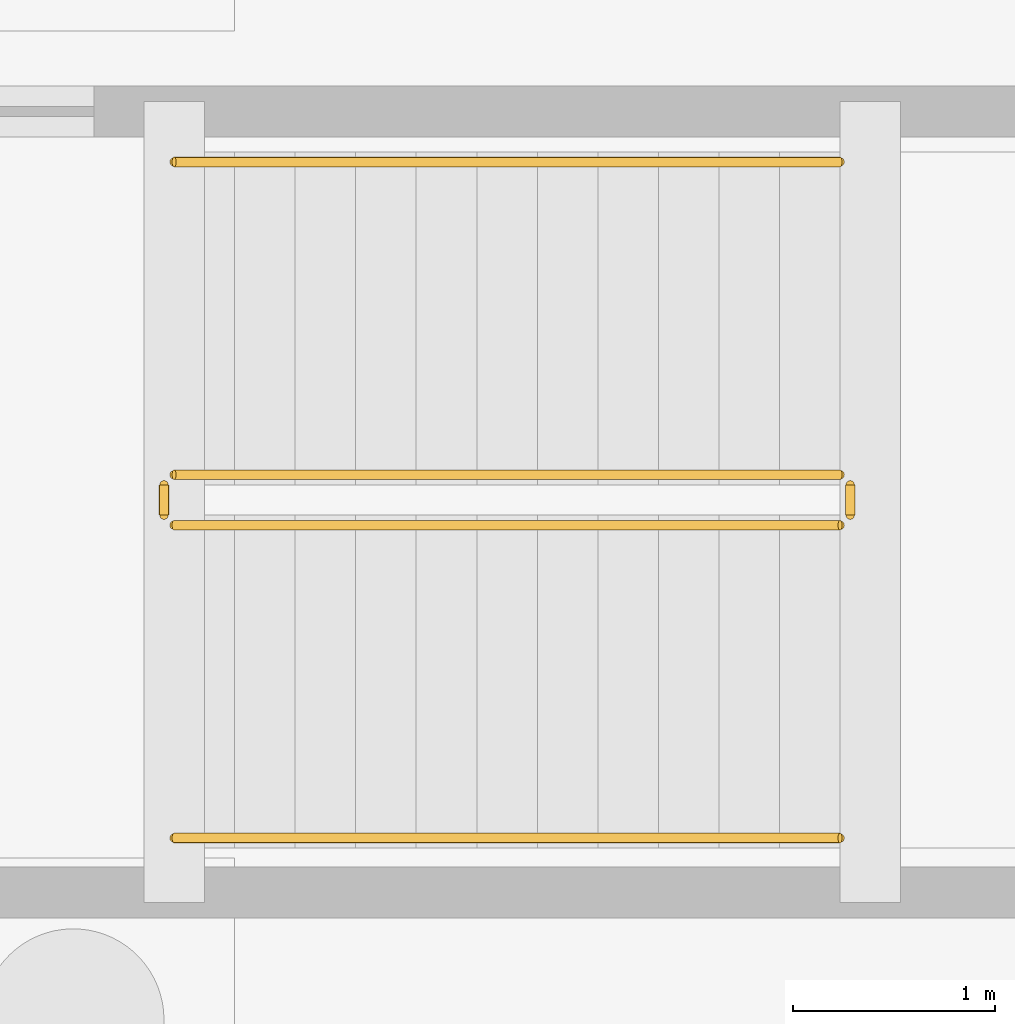
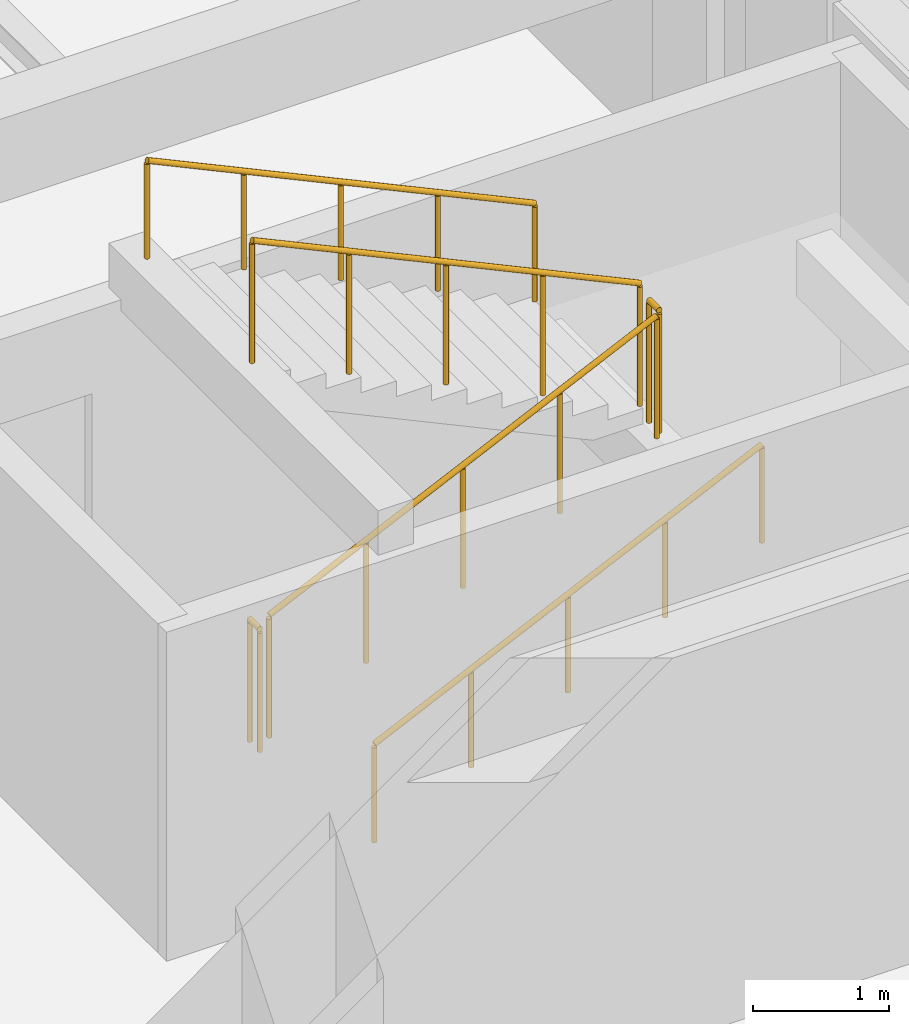
# One storey, part 67 of 70: 6 railings.
"""IFC4 building model written with IfcOpenShell, lengths in metres."""

from ifc_helpers import new_model, si_unit, direction, frame, origin, origin_2d, place, context, subcontext, project, spatial, circle, extrude, material, type_object, element, save


model = new_model("IFC4")

# Units and contexts
model_context = context("Model", 3, precision=1e-05, world=origin(), true_north=direction((0.0, 1.0)))
body_context = subcontext(model_context, "Body", "Model", "MODEL_VIEW")
ifc_project = project(units=[si_unit("LENGTHUNIT", "METRE"), si_unit("AREAUNIT", "SQUARE_METRE"), si_unit("VOLUMEUNIT", "CUBIC_METRE"), si_unit("PLANEANGLEUNIT", "RADIAN"), si_unit("MASSUNIT", "GRAM", prefix="KILO")], contexts=[model_context])

# Site, building, storey
site_placement = place(None, origin())
site = spatial("IfcSite", under=ifc_project, at=site_placement, CompositionType="ELEMENT")
building_placement = place(site_placement, origin())
building = spatial("IfcBuilding", under=site, at=building_placement, Name="Cumbredor Promenade Congress Hotel", CompositionType="ELEMENT")
storey_placement = place(building_placement, frame((0.0, 0.0, -7.56005859375)))
storey = spatial("IfcBuildingStorey", under=building, at=storey_placement, Name="B02", CompositionType="ELEMENT", Elevation=-7.56005859375)

# Railings
ifc_material = material(Name="Brushed stainless steel", Category="steel")
railing_type_1 = type_object("IfcRailingType", Name="Interior Void & Stair Guardrail GR-1100", PredefinedType="GUARDRAIL", material=ifc_material)
railing_1_placement = place(storey_placement, frame((178.25, 12.199951171875, 0.14013671875)))
element("IfcRailing", 1, at=railing_1_placement, inside=storey, type_object=railing_type_1, Name="B02 ST-09 stair guard 1", PredefinedType="GUARDRAIL", context=body_context, shape_type="SweptSolid", body=[
    extrude(circle(Radius=0.02392578125, at=origin_2d()), frame((0.0, 0.0, 1.09619140625), z_axis=(0.906181427284, 0.0, 0.422889135408), x_axis=(0.0, 1.0, 0.0)), (0.0, 0.0, 1.0), 3.6416015625),
    extrude(circle(Radius=0.02099609375, at=origin_2d()), origin(), (0.0, 0.0, 1.0), 1.072021484375),
    extrude(circle(Radius=0.02099609375, at=origin_2d()), frame((0.824951171875, 0.0, 0.385009765625)), (0.0, 0.0, 1.0), 1.072021484375),
    extrude(circle(Radius=0.02099609375, at=origin_2d()), frame((1.64990234375, 0.0, 0.77001953125)), (0.0, 0.0, 1.0), 1.072021484375),
    extrude(circle(Radius=0.02099609375, at=origin_2d()), frame((2.47509765625, 0.0, 1.155029296875)), (0.0, 0.0, 1.0), 1.072021484375),
    extrude(circle(Radius=0.02099609375, at=origin_2d()), frame((3.300048828125, 0.0, 1.5400390625)), (0.0, 0.0, 1.0), 1.072021484375),
])
railing_2_placement = place(storey_placement, frame((181.60009765625, 12.25, 1.68017578125)))
element("IfcRailing", 2, at=railing_2_placement, inside=storey, type_object=railing_type_1, Name="B02 ST-09 stair guard 2", PredefinedType="GUARDRAIL", context=body_context, shape_type="SweptSolid", body=[
    extrude(circle(Radius=0.02392578125, at=origin_2d()), frame((0.0, 0.0, 1.09619140625), z_axis=(0.0, 1.0, 0.0), x_axis=(-1.0, 0.0, 0.0)), (0.0, 0.0, 1.0), 0.14990234375),
    extrude(circle(Radius=0.02099609375, at=origin_2d()), origin(), (0.0, 0.0, 1.0), 1.072021484375),
    extrude(circle(Radius=0.02099609375, at=origin_2d()), frame((0.0, 0.14990234375, 0.0)), (0.0, 0.0, 1.0), 1.072021484375),
])
railing_3_placement = place(storey_placement, frame((181.550048828125, 12.449951171875, 1.820068359375)))
element("IfcRailing", 3, at=railing_3_placement, inside=storey, type_object=railing_type_1, Name="B02 ST-09 stair guard 3", PredefinedType="GUARDRAIL", context=body_context, shape_type="SweptSolid", body=[
    extrude(circle(Radius=0.02392578125, at=origin_2d()), frame((0.0, 0.0, 1.09619140625), z_axis=(-0.906181427284, 0.0, 0.422889135408), x_axis=(0.0, -1.0, 0.0)), (0.0, 0.0, 1.0), 3.6416015625),
    extrude(circle(Radius=0.02099609375, at=origin_2d()), origin(), (0.0, 0.0, 1.0), 1.072021484375),
    extrude(circle(Radius=0.02099609375, at=origin_2d()), frame((-0.824951171875, 0.0, 0.385009765625)), (0.0, 0.0, 1.0), 1.072021484375),
    extrude(circle(Radius=0.02099609375, at=origin_2d()), frame((-1.64990234375, 0.0, 0.77001953125)), (0.0, 0.0, 1.0), 1.072021484375),
    extrude(circle(Radius=0.02099609375, at=origin_2d()), frame((-2.47509765625, 0.0, 1.155029296875)), (0.0, 0.0, 1.0), 1.072021484375),
    extrude(circle(Radius=0.02099609375, at=origin_2d()), frame((-3.300048828125, 0.0, 1.5400390625)), (0.0, 0.0, 1.0), 1.072021484375),
])
railing_4_placement = place(storey_placement, frame((178.199951171875, 12.25, 0.0)))
element("IfcRailing", 4, at=railing_4_placement, inside=storey, type_object=railing_type_1, Name="B02 ST-09 stair guard 4", PredefinedType="GUARDRAIL", context=body_context, shape_type="SweptSolid", body=[
    extrude(circle(Radius=0.02392578125, at=origin_2d()), frame((0.0, 0.0, 1.09619140625), z_axis=(0.0, 1.0, 0.0), x_axis=(-1.0, 0.0, 0.0)), (0.0, 0.0, 1.0), 0.14990234375),
    extrude(circle(Radius=0.02099609375, at=origin_2d()), origin(), (0.0, 0.0, 1.0), 1.072021484375),
    extrude(circle(Radius=0.02099609375, at=origin_2d()), frame((0.0, 0.14990234375, 0.0)), (0.0, 0.0, 1.0), 1.072021484375),
])
railing_type_2 = type_object("IfcRailingType", Name="Stair Pitch Handrail HR-900", PredefinedType="HANDRAIL", material=ifc_material)
railing_5_placement = place(storey_placement, frame((178.25, 10.64990234375, 0.14013671875)))
element("IfcRailing", 5, at=railing_5_placement, inside=storey, type_object=railing_type_2, Name="B02 ST-09 stair handrail 1", PredefinedType="HANDRAIL", context=body_context, shape_type="SweptSolid", body=[
    extrude(circle(Radius=0.02392578125, at=origin_2d()), frame((0.0, 0.0, 0.8759765625), z_axis=(0.906181427284, 0.0, 0.422889135408), x_axis=(0.0, 1.0, 0.0)), (0.0, 0.0, 1.0), 3.6416015625),
    extrude(circle(Radius=0.02099609375, at=origin_2d()), origin(), (0.0, 0.0, 1.0), 0.851806640625),
    extrude(circle(Radius=0.02099609375, at=origin_2d()), frame((0.824951171875, 0.0, 0.385009765625)), (0.0, 0.0, 1.0), 0.851806640625),
    extrude(circle(Radius=0.02099609375, at=origin_2d()), frame((1.64990234375, 0.0, 0.77001953125)), (0.0, 0.0, 1.0), 0.851806640625),
    extrude(circle(Radius=0.02099609375, at=origin_2d()), frame((2.47509765625, 0.0, 1.155029296875)), (0.0, 0.0, 1.0), 0.851806640625),
    extrude(circle(Radius=0.02099609375, at=origin_2d()), frame((3.300048828125, 0.0, 1.5400390625)), (0.0, 0.0, 1.0), 0.851806640625),
])
railing_6_placement = place(storey_placement, frame((181.550048828125, 14.0, 1.820068359375)))
element("IfcRailing", 6, at=railing_6_placement, inside=storey, type_object=railing_type_2, Name="B02 ST-09 stair handrail 2", PredefinedType="HANDRAIL", context=body_context, shape_type="SweptSolid", body=[
    extrude(circle(Radius=0.02392578125, at=origin_2d()), frame((0.0, 0.0, 0.8759765625), z_axis=(-0.906181427284, 0.0, 0.422889135408), x_axis=(0.0, -1.0, 0.0)), (0.0, 0.0, 1.0), 3.6416015625),
    extrude(circle(Radius=0.02099609375, at=origin_2d()), origin(), (0.0, 0.0, 1.0), 0.851806640625),
    extrude(circle(Radius=0.02099609375, at=origin_2d()), frame((-0.824951171875, 0.0, 0.385009765625)), (0.0, 0.0, 1.0), 0.851806640625),
    extrude(circle(Radius=0.02099609375, at=origin_2d()), frame((-1.64990234375, 0.0, 0.77001953125)), (0.0, 0.0, 1.0), 0.851806640625),
    extrude(circle(Radius=0.02099609375, at=origin_2d()), frame((-2.47509765625, 0.0, 1.155029296875)), (0.0, 0.0, 1.0), 0.851806640625),
    extrude(circle(Radius=0.02099609375, at=origin_2d()), frame((-3.300048828125, 0.0, 1.5400390625)), (0.0, 0.0, 1.0), 0.851806640625),
])

save(model, "model.ifc")
